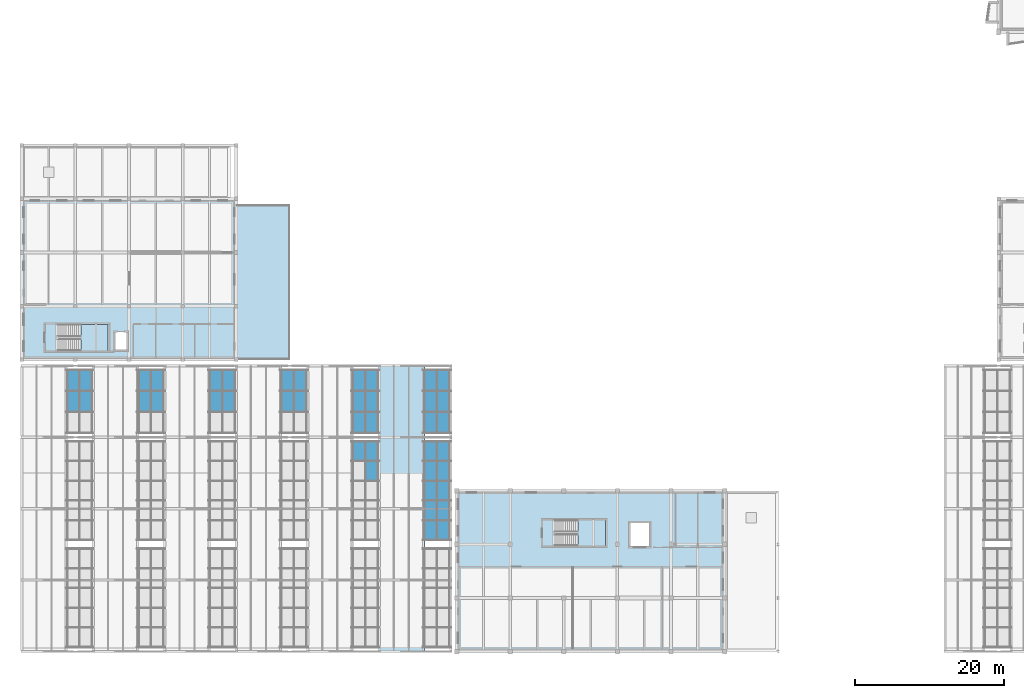
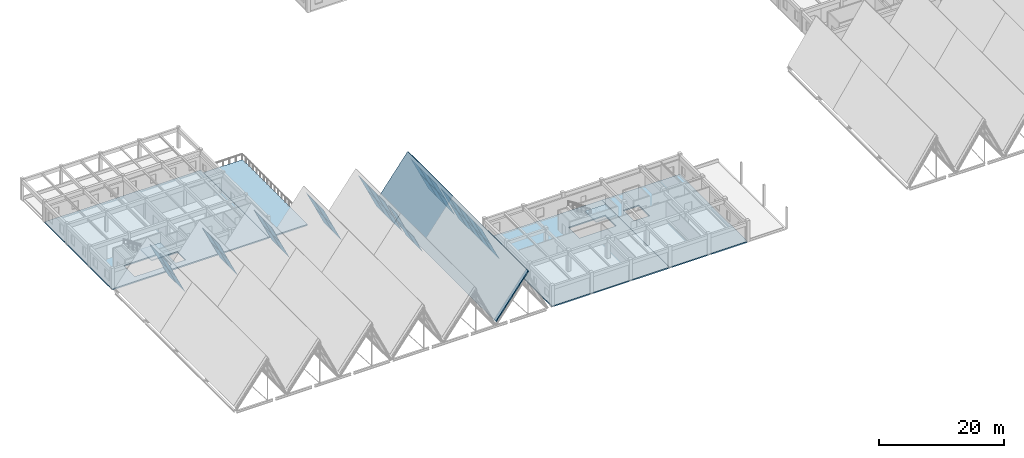
# One storey, part 66 of 99: 41 plates, 7 slabs, 10 elements without a shape of their own.
"""IFC4 building model written with IfcOpenShell, lengths in metres."""

from ifc_helpers import new_model, si_unit, direction, frame, origin, place, context, subcontext, project, spatial, polyline, outline, extrude, material, layer, layer_set, type_object, element, aggregate, save


model = new_model("IFC4")

# Units and contexts
model_context = context("Model", 3, precision=1e-05, world=origin(), true_north=direction((0.0, 1.0)))
body_context = subcontext(model_context, "Body", "Model", "MODEL_VIEW")
ifc_project = project(units=[si_unit("LENGTHUNIT", "METRE"), si_unit("AREAUNIT", "SQUARE_METRE"), si_unit("VOLUMEUNIT", "CUBIC_METRE"), si_unit("PLANEANGLEUNIT", "RADIAN"), si_unit("MASSUNIT", "GRAM", prefix="KILO")], contexts=[model_context])

# Site, building, storey
site_placement = place(None, origin())
site = spatial("IfcSite", under=ifc_project, at=site_placement, CompositionType="ELEMENT")
building_placement = place(site_placement, origin())
building = spatial("IfcBuilding", under=site, at=building_placement, Name="Bramveld Media Centre", CompositionType="ELEMENT")
storey_placement = place(building_placement, frame((0.0, 0.0, 13.800048828125)))
storey = spatial("IfcBuildingStorey", under=building, at=storey_placement, Name="L03", CompositionType="ELEMENT", Elevation=13.800048828125)

# Curtain wall, plates
ifc_material_1 = material(Name="Thermally broken anodized bronze aluminium unitized curtain wall with solar-control triple glazing", Category="aluminium")
curtain_wall_type_1 = type_object("IfcCurtainWallType", Name="CW-SAW-8500x8606", PredefinedType="NOTDEFINED", material=ifc_material_1)
curtain_wall_1_placement = place(storey_placement, origin())
curtain_wall_1 = element("IfcCurtainWall", 1, at=curtain_wall_1_placement, inside=storey, type_object=curtain_wall_type_1, Name="V2 sawtooth north-light clerestory B1-S3", PredefinedType="NOTDEFINED")
ifc_material_2 = material(Name="Solar-control triple insulating safety glass unit", Category="glass")
ifc_layer_1 = layer(ifc_material_2, 0.028076171875)
ifc_layer_set_1 = layer_set([ifc_layer_1], Name="Solar-control triple insulating safety glass unit")
plate_type = type_object("IfcPlateType", Name="CW-PAN-SLP", PredefinedType="CURTAIN_PANEL", material=ifc_layer_set_1)
plate_1_placement = place(storey_placement, frame((9.439697265625, 32.21826171875, 0.322509765625), z_axis=(0.9056675867, 0.0, 0.423988469657), x_axis=(0.0, 1.0, 0.0)))
plate_1 = element("IfcPlate", 2, at=plate_1_placement, type_object=plate_type, Name="CW-SA-8586 glass panel 2.1", PredefinedType="CURTAIN_PANEL", context=body_context, shape_type="SweptSolid", body=[
    extrude(outline(polyline([(0.0, 0.0), (2.763427734375, 0.0), (2.763427734375, 3.8764136412276113), (0.0, 3.8764136412276113), (0.0, 0.0)])), origin(), (0.0, 0.0, -1.0), 0.028076171875),
])
plate_2_placement = place(storey_placement, frame((7.7666015625, 32.21826171875, 3.896728515625), z_axis=(0.9056675867, 0.0, 0.423988469657), x_axis=(0.0, 1.0, 0.0)))
plate_2 = element("IfcPlate", 3, at=plate_2_placement, type_object=plate_type, Name="CW-SA-8586 glass panel 2.2", PredefinedType="CURTAIN_PANEL", context=body_context, shape_type="SweptSolid", body=[
    extrude(outline(polyline([(0.0, 0.0), (2.763427734375, 0.0), (2.763427734375, 3.8764136412276113), (0.0, 3.8764136412276113), (0.0, 0.0)])), origin(), (0.0, 0.0, -1.0), 0.028076171875),
])
plate_3_placement = place(storey_placement, frame((9.439697265625, 35.0517578125, 0.322509765625), z_axis=(0.9056675867, 0.0, 0.423988469657), x_axis=(0.0, 1.0, 0.0)))
plate_3 = element("IfcPlate", 4, at=plate_3_placement, type_object=plate_type, Name="CW-SA-8586 glass panel 3.1", PredefinedType="CURTAIN_PANEL", context=body_context, shape_type="SweptSolid", body=[
    extrude(outline(polyline([(0.0, 0.0), (2.728271484375, 0.0), (2.728271484375, 3.8764136412276113), (0.0, 3.8764136412276113), (0.0, 0.0)])), origin(), (0.0, 0.0, -1.0), 0.028076171875),
])
plate_4_placement = place(storey_placement, frame((7.7666015625, 35.0517578125, 3.896728515625), z_axis=(0.9056675867, 0.0, 0.423988469657), x_axis=(0.0, 1.0, 0.0)))
plate_4 = element("IfcPlate", 5, at=plate_4_placement, type_object=plate_type, Name="CW-SA-8586 glass panel 3.2", PredefinedType="CURTAIN_PANEL", context=body_context, shape_type="SweptSolid", body=[
    extrude(outline(polyline([(0.0, 0.0), (2.728271484375, 0.0), (2.728271484375, 3.8764136412276113), (0.0, 3.8764136412276113), (0.0, 0.0)])), origin(), (0.0, 0.0, -1.0), 0.028076171875),
])
aggregate(curtain_wall_1, [plate_1, plate_2, plate_3, plate_4])

curtain_wall_2_placement = place(storey_placement, origin())
curtain_wall_2 = element("IfcCurtainWall", 6, at=curtain_wall_2_placement, inside=storey, type_object=curtain_wall_type_1, Name="V2 sawtooth north-light clerestory B2-S3", PredefinedType="NOTDEFINED")
plate_5_placement = place(storey_placement, frame((19.039794921875, 32.21826171875, 0.322509765625), z_axis=(0.9056675867, 0.0, 0.423988469657), x_axis=(0.0, 1.0, 0.0)))
plate_5 = element("IfcPlate", 7, at=plate_5_placement, type_object=plate_type, Name="CW-SA-8586 glass panel 2.1", PredefinedType="CURTAIN_PANEL", context=body_context, shape_type="SweptSolid", body=[
    extrude(outline(polyline([(0.0, 0.0), (2.763427734375, 0.0), (2.763427734375, 3.8764136412276113), (0.0, 3.8764136412276113), (0.0, 0.0)])), origin(), (0.0, 0.0, -1.0), 0.028076171875),
])
plate_6_placement = place(storey_placement, frame((17.36669921875, 32.21826171875, 3.896728515625), z_axis=(0.9056675867, 0.0, 0.423988469657), x_axis=(0.0, 1.0, 0.0)))
plate_6 = element("IfcPlate", 8, at=plate_6_placement, type_object=plate_type, Name="CW-SA-8586 glass panel 2.2", PredefinedType="CURTAIN_PANEL", context=body_context, shape_type="SweptSolid", body=[
    extrude(outline(polyline([(0.0, 0.0), (2.763427734375, 0.0), (2.763427734375, 3.8764136412276113), (0.0, 3.8764136412276113), (0.0, 0.0)])), origin(), (0.0, 0.0, -1.0), 0.028076171875),
])
plate_7_placement = place(storey_placement, frame((19.039794921875, 35.0517578125, 0.322509765625), z_axis=(0.9056675867, 0.0, 0.423988469657), x_axis=(0.0, 1.0, 0.0)))
plate_7 = element("IfcPlate", 9, at=plate_7_placement, type_object=plate_type, Name="CW-SA-8586 glass panel 3.1", PredefinedType="CURTAIN_PANEL", context=body_context, shape_type="SweptSolid", body=[
    extrude(outline(polyline([(0.0, 0.0), (2.728271484375, 0.0), (2.728271484375, 3.8764136412276113), (0.0, 3.8764136412276113), (0.0, 0.0)])), origin(), (0.0, 0.0, -1.0), 0.028076171875),
])
plate_8_placement = place(storey_placement, frame((17.36669921875, 35.0517578125, 3.896728515625), z_axis=(0.9056675867, 0.0, 0.423988469657), x_axis=(0.0, 1.0, 0.0)))
plate_8 = element("IfcPlate", 10, at=plate_8_placement, type_object=plate_type, Name="CW-SA-8586 glass panel 3.2", PredefinedType="CURTAIN_PANEL", context=body_context, shape_type="SweptSolid", body=[
    extrude(outline(polyline([(0.0, 0.0), (2.728271484375, 0.0), (2.728271484375, 3.8764136412276113), (0.0, 3.8764136412276113), (0.0, 0.0)])), origin(), (0.0, 0.0, -1.0), 0.028076171875),
])
aggregate(curtain_wall_2, [plate_5, plate_6, plate_7, plate_8])

curtain_wall_3_placement = place(storey_placement, origin())
curtain_wall_3 = element("IfcCurtainWall", 11, at=curtain_wall_3_placement, inside=storey, type_object=curtain_wall_type_1, Name="V2 sawtooth north-light clerestory B3-S3", PredefinedType="NOTDEFINED")
plate_9_placement = place(storey_placement, frame((28.6396484375, 32.21826171875, 0.322509765625), z_axis=(0.9056675867, 0.0, 0.423988469657), x_axis=(0.0, 1.0, 0.0)))
plate_9 = element("IfcPlate", 12, at=plate_9_placement, type_object=plate_type, Name="CW-SA-8586 glass panel 2.1", PredefinedType="CURTAIN_PANEL", context=body_context, shape_type="SweptSolid", body=[
    extrude(outline(polyline([(0.0, 0.0), (2.763427734375, 0.0), (2.763427734375, 3.8764136412276113), (0.0, 3.8764136412276113), (0.0, 0.0)])), origin(), (0.0, 0.0, -1.0), 0.028076171875),
])
plate_10_placement = place(storey_placement, frame((26.966552734375, 32.21826171875, 3.896728515625), z_axis=(0.9056675867, 0.0, 0.423988469657), x_axis=(0.0, 1.0, 0.0)))
plate_10 = element("IfcPlate", 13, at=plate_10_placement, type_object=plate_type, Name="CW-SA-8586 glass panel 2.2", PredefinedType="CURTAIN_PANEL", context=body_context, shape_type="SweptSolid", body=[
    extrude(outline(polyline([(0.0, 0.0), (2.763427734375, 0.0), (2.763427734375, 3.8764136412276113), (0.0, 3.8764136412276113), (0.0, 0.0)])), origin(), (0.0, 0.0, -1.0), 0.028076171875),
])
plate_11_placement = place(storey_placement, frame((28.6396484375, 35.0517578125, 0.322509765625), z_axis=(0.9056675867, 0.0, 0.423988469657), x_axis=(0.0, 1.0, 0.0)))
plate_11 = element("IfcPlate", 14, at=plate_11_placement, type_object=plate_type, Name="CW-SA-8586 glass panel 3.1", PredefinedType="CURTAIN_PANEL", context=body_context, shape_type="SweptSolid", body=[
    extrude(outline(polyline([(0.0, 0.0), (2.728271484375, 0.0), (2.728271484375, 3.8764136412276113), (0.0, 3.8764136412276113), (0.0, 0.0)])), origin(), (0.0, 0.0, -1.0), 0.028076171875),
])
plate_12_placement = place(storey_placement, frame((26.966552734375, 35.0517578125, 3.896728515625), z_axis=(0.9056675867, 0.0, 0.423988469657), x_axis=(0.0, 1.0, 0.0)))
plate_12 = element("IfcPlate", 15, at=plate_12_placement, type_object=plate_type, Name="CW-SA-8586 glass panel 3.2", PredefinedType="CURTAIN_PANEL", context=body_context, shape_type="SweptSolid", body=[
    extrude(outline(polyline([(0.0, 0.0), (2.728271484375, 0.0), (2.728271484375, 3.8764136412276113), (0.0, 3.8764136412276113), (0.0, 0.0)])), origin(), (0.0, 0.0, -1.0), 0.028076171875),
])
aggregate(curtain_wall_3, [plate_9, plate_10, plate_11, plate_12])

curtain_wall_4_placement = place(storey_placement, origin())
curtain_wall_4 = element("IfcCurtainWall", 16, at=curtain_wall_4_placement, inside=storey, type_object=curtain_wall_type_1, Name="V2 sawtooth north-light clerestory B4-S3", PredefinedType="NOTDEFINED")
plate_13_placement = place(storey_placement, frame((38.23974609375, 32.21826171875, 0.322509765625), z_axis=(0.9056675867, 0.0, 0.423988469657), x_axis=(0.0, 1.0, 0.0)))
plate_13 = element("IfcPlate", 17, at=plate_13_placement, type_object=plate_type, Name="CW-SA-8586 glass panel 2.1", PredefinedType="CURTAIN_PANEL", context=body_context, shape_type="SweptSolid", body=[
    extrude(outline(polyline([(0.0, 0.0), (2.763427734375, 0.0), (2.763427734375, 3.8764136412276113), (0.0, 3.8764136412276113), (0.0, 0.0)])), origin(), (0.0, 0.0, -1.0), 0.028076171875),
])
plate_14_placement = place(storey_placement, frame((36.566650390625, 32.21826171875, 3.896728515625), z_axis=(0.9056675867, 0.0, 0.423988469657), x_axis=(0.0, 1.0, 0.0)))
plate_14 = element("IfcPlate", 18, at=plate_14_placement, type_object=plate_type, Name="CW-SA-8586 glass panel 2.2", PredefinedType="CURTAIN_PANEL", context=body_context, shape_type="SweptSolid", body=[
    extrude(outline(polyline([(0.0, 0.0), (2.763427734375, 0.0), (2.763427734375, 3.8764136412276113), (0.0, 3.8764136412276113), (0.0, 0.0)])), origin(), (0.0, 0.0, -1.0), 0.028076171875),
])
plate_15_placement = place(storey_placement, frame((38.23974609375, 35.0517578125, 0.322509765625), z_axis=(0.9056675867, 0.0, 0.423988469657), x_axis=(0.0, 1.0, 0.0)))
plate_15 = element("IfcPlate", 19, at=plate_15_placement, type_object=plate_type, Name="CW-SA-8586 glass panel 3.1", PredefinedType="CURTAIN_PANEL", context=body_context, shape_type="SweptSolid", body=[
    extrude(outline(polyline([(0.0, 0.0), (2.728271484375, 0.0), (2.728271484375, 3.8764136412276113), (0.0, 3.8764136412276113), (0.0, 0.0)])), origin(), (0.0, 0.0, -1.0), 0.028076171875),
])
plate_16_placement = place(storey_placement, frame((36.566650390625, 35.0517578125, 3.896728515625), z_axis=(0.9056675867, 0.0, 0.423988469657), x_axis=(0.0, 1.0, 0.0)))
plate_16 = element("IfcPlate", 20, at=plate_16_placement, type_object=plate_type, Name="CW-SA-8586 glass panel 3.2", PredefinedType="CURTAIN_PANEL", context=body_context, shape_type="SweptSolid", body=[
    extrude(outline(polyline([(0.0, 0.0), (2.728271484375, 0.0), (2.728271484375, 3.8764136412276113), (0.0, 3.8764136412276113), (0.0, 0.0)])), origin(), (0.0, 0.0, -1.0), 0.028076171875),
])
aggregate(curtain_wall_4, [plate_13, plate_14, plate_15, plate_16])

ifc_material_3 = material(Name="Thermally broken anodized bronze aluminium unitized curtain wall with solar-control triple glazing", Category="aluminium")
curtain_wall_type_2 = type_object("IfcCurtainWallType", Name="CW-SAW-13300x8606", PredefinedType="NOTDEFINED", material=ifc_material_3)
curtain_wall_5_placement = place(storey_placement, origin())
curtain_wall_5 = element("IfcCurtainWall", 21, at=curtain_wall_5_placement, inside=storey, type_object=curtain_wall_type_2, Name="V2 sawtooth north-light clerestory B5-S2", PredefinedType="NOTDEFINED")
plate_17_placement = place(storey_placement, frame((47.839599609375, 22.965087890625, 0.322509765625), z_axis=(0.905691770132, 0.0, 0.423936808398), x_axis=(0.0, 1.0, 0.0)))
plate_17 = element("IfcPlate", 22, at=plate_17_placement, type_object=plate_type, Name="CW-SA-13386 glass panel 4.1", PredefinedType="CURTAIN_PANEL", context=body_context, shape_type="SweptSolid", body=[
    extrude(outline(polyline([(0.0, 0.0), (2.58984375, 0.0), (2.58984375, 3.876310134723858), (0.0, 3.876310134723858), (0.0, 0.0)])), origin(), (0.0, 0.0, -1.0), 0.028076171875),
])
plate_18_placement = place(storey_placement, frame((47.839599609375, 25.625, 0.322509765625), z_axis=(0.905691770132, 0.0, 0.423936808398), x_axis=(0.0, 1.0, 0.0)))
plate_18 = element("IfcPlate", 23, at=plate_18_placement, type_object=plate_type, Name="CW-SA-13386 glass panel 5.1", PredefinedType="CURTAIN_PANEL", context=body_context, shape_type="SweptSolid", body=[
    extrude(outline(polyline([(0.0, 0.0), (2.554931640625, 0.0), (2.554931640625, 3.876310134723858), (0.0, 3.876310134723858), (0.0, 0.0)])), origin(), (0.0, 0.0, -1.0), 0.028076171875),
])
plate_19_placement = place(storey_placement, frame((46.16650390625, 25.625, 3.896728515625), z_axis=(0.905691770132, 0.0, 0.423936808398), x_axis=(0.0, 1.0, 0.0)))
plate_19 = element("IfcPlate", 24, at=plate_19_placement, type_object=plate_type, Name="CW-SA-13386 glass panel 5.2", PredefinedType="CURTAIN_PANEL", context=body_context, shape_type="SweptSolid", body=[
    extrude(outline(polyline([(0.0, 0.0), (2.554931640625, 0.0), (2.554931640625, 3.876310134723858), (0.0, 3.876310134723858), (0.0, 0.0)])), origin(), (0.0, 0.0, -1.0), 0.028076171875),
])
aggregate(curtain_wall_5, [plate_17, plate_18, plate_19])

curtain_wall_6_placement = place(storey_placement, origin())
curtain_wall_6 = element("IfcCurtainWall", 25, at=curtain_wall_6_placement, inside=storey, type_object=curtain_wall_type_1, Name="V2 sawtooth north-light clerestory B5-S3", PredefinedType="NOTDEFINED")
plate_20_placement = place(storey_placement, frame((47.839599609375, 29.419921875, 0.322509765625), z_axis=(0.905691770132, 0.0, 0.423936808398), x_axis=(0.0, 1.0, 0.0)))
plate_20 = element("IfcPlate", 26, at=plate_20_placement, type_object=plate_type, Name="CW-SA-8586 glass panel 1.1", PredefinedType="CURTAIN_PANEL", context=body_context, shape_type="SweptSolid", body=[
    extrude(outline(polyline([(0.0, 0.0), (2.728271484375, 0.0), (2.728271484375, 3.876310134723858), (0.0, 3.876310134723858), (0.0, 0.0)])), origin(), (0.0, 0.0, -1.0), 0.028076171875),
])
plate_21_placement = place(storey_placement, frame((46.16650390625, 29.419921875, 3.896728515625), z_axis=(0.905691770132, 0.0, 0.423936808398), x_axis=(0.0, 1.0, 0.0)))
plate_21 = element("IfcPlate", 27, at=plate_21_placement, type_object=plate_type, Name="CW-SA-8586 glass panel 1.2", PredefinedType="CURTAIN_PANEL", context=body_context, shape_type="SweptSolid", body=[
    extrude(outline(polyline([(0.0, 0.0), (2.728271484375, 0.0), (2.728271484375, 3.876310134723858), (0.0, 3.876310134723858), (0.0, 0.0)])), origin(), (0.0, 0.0, -1.0), 0.028076171875),
])
plate_22_placement = place(storey_placement, frame((47.839599609375, 32.21826171875, 0.322509765625), z_axis=(0.905691770132, 0.0, 0.423936808398), x_axis=(0.0, 1.0, 0.0)))
plate_22 = element("IfcPlate", 28, at=plate_22_placement, type_object=plate_type, Name="CW-SA-8586 glass panel 2.1", PredefinedType="CURTAIN_PANEL", context=body_context, shape_type="SweptSolid", body=[
    extrude(outline(polyline([(0.0, 0.0), (2.763427734375, 0.0), (2.763427734375, 3.876310134723858), (0.0, 3.876310134723858), (0.0, 0.0)])), origin(), (0.0, 0.0, -1.0), 0.028076171875),
])
plate_23_placement = place(storey_placement, frame((46.16650390625, 32.21826171875, 3.896728515625), z_axis=(0.905691770132, 0.0, 0.423936808398), x_axis=(0.0, 1.0, 0.0)))
plate_23 = element("IfcPlate", 29, at=plate_23_placement, type_object=plate_type, Name="CW-SA-8586 glass panel 2.2", PredefinedType="CURTAIN_PANEL", context=body_context, shape_type="SweptSolid", body=[
    extrude(outline(polyline([(0.0, 0.0), (2.763427734375, 0.0), (2.763427734375, 3.876310134723858), (0.0, 3.876310134723858), (0.0, 0.0)])), origin(), (0.0, 0.0, -1.0), 0.028076171875),
])
plate_24_placement = place(storey_placement, frame((47.839599609375, 35.0517578125, 0.322509765625), z_axis=(0.905691770132, 0.0, 0.423936808398), x_axis=(0.0, 1.0, 0.0)))
plate_24 = element("IfcPlate", 30, at=plate_24_placement, type_object=plate_type, Name="CW-SA-8586 glass panel 3.1", PredefinedType="CURTAIN_PANEL", context=body_context, shape_type="SweptSolid", body=[
    extrude(outline(polyline([(0.0, 0.0), (2.728271484375, 0.0), (2.728271484375, 3.876310134723858), (0.0, 3.876310134723858), (0.0, 0.0)])), origin(), (0.0, 0.0, -1.0), 0.028076171875),
])
plate_25_placement = place(storey_placement, frame((46.16650390625, 35.0517578125, 3.896728515625), z_axis=(0.905691770132, 0.0, 0.423936808398), x_axis=(0.0, 1.0, 0.0)))
plate_25 = element("IfcPlate", 31, at=plate_25_placement, type_object=plate_type, Name="CW-SA-8586 glass panel 3.2", PredefinedType="CURTAIN_PANEL", context=body_context, shape_type="SweptSolid", body=[
    extrude(outline(polyline([(0.0, 0.0), (2.728271484375, 0.0), (2.728271484375, 3.876310134723858), (0.0, 3.876310134723858), (0.0, 0.0)])), origin(), (0.0, 0.0, -1.0), 0.028076171875),
])
aggregate(curtain_wall_6, [plate_20, plate_21, plate_22, plate_23, plate_24, plate_25])

curtain_wall_7_placement = place(storey_placement, origin())
curtain_wall_7 = element("IfcCurtainWall", 32, at=curtain_wall_7_placement, inside=storey, type_object=curtain_wall_type_2, Name="V2 sawtooth north-light clerestory B6-S2", PredefinedType="NOTDEFINED")
plate_26_placement = place(storey_placement, frame((57.439697265625, 15.02001953125, 0.322509765625), z_axis=(0.9056675867, 0.0, 0.423988469657), x_axis=(0.0, 1.0, 0.0)))
plate_26 = element("IfcPlate", 33, at=plate_26_placement, type_object=plate_type, Name="CW-SA-13386 glass panel 1.1", PredefinedType="CURTAIN_PANEL", context=body_context, shape_type="SweptSolid", body=[
    extrude(outline(polyline([(0.0, 0.0), (2.554931640625, 0.0), (2.554931640625, 3.8764136412276113), (0.0, 3.8764136412276113), (0.0, 0.0)])), origin(), (0.0, 0.0, -1.0), 0.028076171875),
])
plate_27_placement = place(storey_placement, frame((55.7666015625, 15.02001953125, 3.896728515625), z_axis=(0.9056675867, 0.0, 0.423988469657), x_axis=(0.0, 1.0, 0.0)))
plate_27 = element("IfcPlate", 34, at=plate_27_placement, type_object=plate_type, Name="CW-SA-13386 glass panel 1.2", PredefinedType="CURTAIN_PANEL", context=body_context, shape_type="SweptSolid", body=[
    extrude(outline(polyline([(0.0, 0.0), (2.554931640625, 0.0), (2.554931640625, 3.8764136412276113), (0.0, 3.8764136412276113), (0.0, 0.0)])), origin(), (0.0, 0.0, -1.0), 0.028076171875),
])
plate_28_placement = place(storey_placement, frame((57.439697265625, 17.64501953125, 0.322509765625), z_axis=(0.9056675867, 0.0, 0.423988469657), x_axis=(0.0, 1.0, 0.0)))
plate_28 = element("IfcPlate", 35, at=plate_28_placement, type_object=plate_type, Name="CW-SA-13386 glass panel 2.1", PredefinedType="CURTAIN_PANEL", context=body_context, shape_type="SweptSolid", body=[
    extrude(outline(polyline([(0.0, 0.0), (2.590087890625, 0.0), (2.590087890625, 3.876413641227611), (0.0, 3.876413641227611), (0.0, 0.0)])), origin(), (0.0, 0.0, -1.0), 0.028076171875),
])
plate_29_placement = place(storey_placement, frame((55.7666015625, 17.64501953125, 3.896728515625), z_axis=(0.9056675867, 0.0, 0.423988469657), x_axis=(0.0, 1.0, 0.0)))
plate_29 = element("IfcPlate", 36, at=plate_29_placement, type_object=plate_type, Name="CW-SA-13386 glass panel 2.2", PredefinedType="CURTAIN_PANEL", context=body_context, shape_type="SweptSolid", body=[
    extrude(outline(polyline([(0.0, 0.0), (2.590087890625, 0.0), (2.590087890625, 3.876413641227611), (0.0, 3.876413641227611), (0.0, 0.0)])), origin(), (0.0, 0.0, -1.0), 0.028076171875),
])
plate_30_placement = place(storey_placement, frame((57.439697265625, 20.304931640625, 0.322509765625), z_axis=(0.9056675867, 0.0, 0.423988469657), x_axis=(0.0, 1.0, 0.0)))
plate_30 = element("IfcPlate", 37, at=plate_30_placement, type_object=plate_type, Name="CW-SA-13386 glass panel 3.1", PredefinedType="CURTAIN_PANEL", context=body_context, shape_type="SweptSolid", body=[
    extrude(outline(polyline([(0.0, 0.0), (2.590087890625, 0.0), (2.590087890625, 3.876413641227611), (0.0, 3.876413641227611), (0.0, 0.0)])), origin(), (0.0, 0.0, -1.0), 0.028076171875),
])
plate_31_placement = place(storey_placement, frame((55.7666015625, 20.304931640625, 3.896728515625), z_axis=(0.9056675867, 0.0, 0.423988469657), x_axis=(0.0, 1.0, 0.0)))
plate_31 = element("IfcPlate", 38, at=plate_31_placement, type_object=plate_type, Name="CW-SA-13386 glass panel 3.2", PredefinedType="CURTAIN_PANEL", context=body_context, shape_type="SweptSolid", body=[
    extrude(outline(polyline([(0.0, 0.0), (2.590087890625, 0.0), (2.590087890625, 3.876413641227611), (0.0, 3.876413641227611), (0.0, 0.0)])), origin(), (0.0, 0.0, -1.0), 0.028076171875),
])
plate_32_placement = place(storey_placement, frame((57.439697265625, 22.965087890625, 0.322509765625), z_axis=(0.9056675867, 0.0, 0.423988469657), x_axis=(0.0, 1.0, 0.0)))
plate_32 = element("IfcPlate", 39, at=plate_32_placement, type_object=plate_type, Name="CW-SA-13386 glass panel 4.1", PredefinedType="CURTAIN_PANEL", context=body_context, shape_type="SweptSolid", body=[
    extrude(outline(polyline([(0.0, 0.0), (2.58984375, 0.0), (2.58984375, 3.876413641227611), (0.0, 3.876413641227611), (0.0, 0.0)])), origin(), (0.0, 0.0, -1.0), 0.028076171875),
])
plate_33_placement = place(storey_placement, frame((55.7666015625, 22.965087890625, 3.896728515625), z_axis=(0.9056675867, 0.0, 0.423988469657), x_axis=(0.0, 1.0, 0.0)))
plate_33 = element("IfcPlate", 40, at=plate_33_placement, type_object=plate_type, Name="CW-SA-13386 glass panel 4.2", PredefinedType="CURTAIN_PANEL", context=body_context, shape_type="SweptSolid", body=[
    extrude(outline(polyline([(0.0, 0.0), (2.58984375, 0.0), (2.58984375, 3.876413641227611), (0.0, 3.876413641227611), (0.0, 0.0)])), origin(), (0.0, 0.0, -1.0), 0.028076171875),
])
plate_34_placement = place(storey_placement, frame((57.439697265625, 25.625, 0.322509765625), z_axis=(0.9056675867, 0.0, 0.423988469657), x_axis=(0.0, 1.0, 0.0)))
plate_34 = element("IfcPlate", 41, at=plate_34_placement, type_object=plate_type, Name="CW-SA-13386 glass panel 5.1", PredefinedType="CURTAIN_PANEL", context=body_context, shape_type="SweptSolid", body=[
    extrude(outline(polyline([(0.0, 0.0), (2.554931640625, 0.0), (2.554931640625, 3.8764136412276113), (0.0, 3.8764136412276113), (0.0, 0.0)])), origin(), (0.0, 0.0, -1.0), 0.028076171875),
])
plate_35_placement = place(storey_placement, frame((55.7666015625, 25.625, 3.896728515625), z_axis=(0.9056675867, 0.0, 0.423988469657), x_axis=(0.0, 1.0, 0.0)))
plate_35 = element("IfcPlate", 42, at=plate_35_placement, type_object=plate_type, Name="CW-SA-13386 glass panel 5.2", PredefinedType="CURTAIN_PANEL", context=body_context, shape_type="SweptSolid", body=[
    extrude(outline(polyline([(0.0, 0.0), (2.554931640625, 0.0), (2.554931640625, 3.8764136412276113), (0.0, 3.8764136412276113), (0.0, 0.0)])), origin(), (0.0, 0.0, -1.0), 0.028076171875),
])
aggregate(curtain_wall_7, [plate_26, plate_27, plate_28, plate_29, plate_30, plate_31, plate_32, plate_33, plate_34, plate_35])

curtain_wall_8_placement = place(storey_placement, origin())
curtain_wall_8 = element("IfcCurtainWall", 43, at=curtain_wall_8_placement, inside=storey, type_object=curtain_wall_type_1, Name="V2 sawtooth north-light clerestory B6-S3", PredefinedType="NOTDEFINED")
plate_36_placement = place(storey_placement, frame((57.439697265625, 29.419921875, 0.322509765625), z_axis=(0.9056675867, 0.0, 0.423988469657), x_axis=(0.0, 1.0, 0.0)))
plate_36 = element("IfcPlate", 44, at=plate_36_placement, type_object=plate_type, Name="CW-SA-8586 glass panel 1.1", PredefinedType="CURTAIN_PANEL", context=body_context, shape_type="SweptSolid", body=[
    extrude(outline(polyline([(0.0, 0.0), (2.728271484375, 0.0), (2.728271484375, 3.8764136412276113), (0.0, 3.8764136412276113), (0.0, 0.0)])), origin(), (0.0, 0.0, -1.0), 0.028076171875),
])
plate_37_placement = place(storey_placement, frame((55.7666015625, 29.419921875, 3.896728515625), z_axis=(0.9056675867, 0.0, 0.423988469657), x_axis=(0.0, 1.0, 0.0)))
plate_37 = element("IfcPlate", 45, at=plate_37_placement, type_object=plate_type, Name="CW-SA-8586 glass panel 1.2", PredefinedType="CURTAIN_PANEL", context=body_context, shape_type="SweptSolid", body=[
    extrude(outline(polyline([(0.0, 0.0), (2.728271484375, 0.0), (2.728271484375, 3.8764136412276113), (0.0, 3.8764136412276113), (0.0, 0.0)])), origin(), (0.0, 0.0, -1.0), 0.028076171875),
])
plate_38_placement = place(storey_placement, frame((57.439697265625, 32.21826171875, 0.322509765625), z_axis=(0.9056675867, 0.0, 0.423988469657), x_axis=(0.0, 1.0, 0.0)))
plate_38 = element("IfcPlate", 46, at=plate_38_placement, type_object=plate_type, Name="CW-SA-8586 glass panel 2.1", PredefinedType="CURTAIN_PANEL", context=body_context, shape_type="SweptSolid", body=[
    extrude(outline(polyline([(0.0, 0.0), (2.763427734375, 0.0), (2.763427734375, 3.8764136412276113), (0.0, 3.8764136412276113), (0.0, 0.0)])), origin(), (0.0, 0.0, -1.0), 0.028076171875),
])
plate_39_placement = place(storey_placement, frame((55.7666015625, 32.21826171875, 3.896728515625), z_axis=(0.9056675867, 0.0, 0.423988469657), x_axis=(0.0, 1.0, 0.0)))
plate_39 = element("IfcPlate", 47, at=plate_39_placement, type_object=plate_type, Name="CW-SA-8586 glass panel 2.2", PredefinedType="CURTAIN_PANEL", context=body_context, shape_type="SweptSolid", body=[
    extrude(outline(polyline([(0.0, 0.0), (2.763427734375, 0.0), (2.763427734375, 3.8764136412276113), (0.0, 3.8764136412276113), (0.0, 0.0)])), origin(), (0.0, 0.0, -1.0), 0.028076171875),
])
plate_40_placement = place(storey_placement, frame((57.439697265625, 35.0517578125, 0.322509765625), z_axis=(0.9056675867, 0.0, 0.423988469657), x_axis=(0.0, 1.0, 0.0)))
plate_40 = element("IfcPlate", 48, at=plate_40_placement, type_object=plate_type, Name="CW-SA-8586 glass panel 3.1", PredefinedType="CURTAIN_PANEL", context=body_context, shape_type="SweptSolid", body=[
    extrude(outline(polyline([(0.0, 0.0), (2.728271484375, 0.0), (2.728271484375, 3.8764136412276113), (0.0, 3.8764136412276113), (0.0, 0.0)])), origin(), (0.0, 0.0, -1.0), 0.028076171875),
])
plate_41_placement = place(storey_placement, frame((55.7666015625, 35.0517578125, 3.896728515625), z_axis=(0.9056675867, 0.0, 0.423988469657), x_axis=(0.0, 1.0, 0.0)))
plate_41 = element("IfcPlate", 49, at=plate_41_placement, type_object=plate_type, Name="CW-SA-8586 glass panel 3.2", PredefinedType="CURTAIN_PANEL", context=body_context, shape_type="SweptSolid", body=[
    extrude(outline(polyline([(0.0, 0.0), (2.728271484375, 0.0), (2.728271484375, 3.8764136412276113), (0.0, 3.8764136412276113), (0.0, 0.0)])), origin(), (0.0, 0.0, -1.0), 0.028076171875),
])
aggregate(curtain_wall_8, [plate_36, plate_37, plate_38, plate_39, plate_40, plate_41])

# Slabs
ifc_material_4 = material(Name="Precast concrete C40/50", Category="concrete")
ifc_layer_2 = layer(ifc_material_4, 0.2099609375)
ifc_layer_set_2 = layer_set([ifc_layer_2], Name="Precast concrete C40/50")
slab_type_1 = type_object("IfcSlabType", Name="ROOF-SLAB-210-01", PredefinedType="ROOF", material=ifc_layer_set_2)
slab_1_placement = place(storey_placement, frame((48.0, 0.0, 0.622314453125), z_axis=(-0.794448873282, 0.0, 0.607331036372), x_axis=(0.607331036372, 0.0, 0.794448873282)))
element("IfcSlab", 50, at=slab_1_placement, inside=storey, type_object=slab_type_1, Name="V2 sawtooth acoustic roof slab bay 6", PredefinedType="ROOF", context=body_context, shape_type="SweptSolid", body=[
    extrude(outline(polyline([(0.0, 0.0), (9.818188546103965, 0.0), (9.818188546103965, 38.39990234375), (0.0, 38.39990234375), (0.0, 0.0)])), origin(), (0.0, 0.0, -1.0), 0.2099609375),
])
ifc_material_5 = material(Name="Precast concrete C40/50", Category="concrete")
ifc_layer_3 = layer(ifc_material_5, 0.239990234375)
ifc_layer_set_3 = layer_set([ifc_layer_3], Name="Precast concrete C40/50")
slab_type_2 = type_object("IfcSlabType", Name="SLAB-FLOOR-EXT-240", PredefinedType="FLOOR", material=ifc_layer_set_3)
slab_2_placement = place(storey_placement, frame((0.0, 0.0, -0.239990234375)))
element("IfcSlab", 51, at=slab_2_placement, inside=storey, type_object=slab_type_2, Name="Cinema Setback Terrace", PredefinedType="FLOOR", context=body_context, shape_type="SweptSolid", body=[
    extrude(outline(polyline([(28.800048828125, 39.199951171875), (36.0, 39.199951171875), (36.0, 60.0), (28.800048828125, 60.0), (28.800048828125, 39.199951171875)])), origin(), (0.0, 0.0, 1.0), 0.239990234375),
])
ifc_material_6 = material(Name="Concrete C40/50", Category="concrete")
ifc_layer_4 = layer(ifc_material_6, 0.239990234375)
ifc_layer_set_4 = layer_set([ifc_layer_4], Name="Concrete C40/50")
slab_type_3 = type_object("IfcSlabType", Name="SLAB-FLOOR-INT-240", PredefinedType="FLOOR", material=ifc_layer_set_4)
slab_3_placement = place(storey_placement, frame((0.0, 0.0, -0.239990234375)))
element("IfcSlab", 52, at=slab_3_placement, inside=storey, type_object=slab_type_3, Name="V5 L03 structural slab 1", PredefinedType="FLOOR", context=body_context, shape_type="SweptSolid", body=[
    extrude(outline(polyline([(58.39990234375, 21.60009765625), (80.0, 21.60009765625), (80.0, 0.0), (58.39990234375, 0.0), (58.39990234375, 21.60009765625)]), holes=[polyline([(71.60009765625, 14.199951171875), (78.39990234375, 14.199951171875), (78.39990234375, 17.64990234375), (71.60009765625, 17.64990234375), (71.60009765625, 14.199951171875)])]), origin(), (0.0, 0.0, 1.0), 0.239990234375),
])
slab_4_placement = place(storey_placement, frame((0.0, 0.0, -0.239990234375)))
element("IfcSlab", 53, at=slab_4_placement, inside=storey, type_object=slab_type_3, Name="V5 L03 structural slab 2", PredefinedType="FLOOR", context=body_context, shape_type="SweptSolid", body=[
    extrude(outline(polyline([(94.39990234375, 0.0), (80.0, 0.0), (80.0, 21.60009765625), (94.39990234375, 21.60009765625), (94.39990234375, 0.0)]), holes=[polyline([(84.39990234375, 14.0), (84.39990234375, 17.39990234375), (81.60009765625, 17.39990234375), (81.60009765625, 14.0), (84.39990234375, 14.0)])]), origin(), (0.0, 0.0, 1.0), 0.239990234375),
])
ifc_material_7 = material(Name="Concrete C40/50", Category="concrete")
ifc_layer_5 = layer(ifc_material_7, 0.25)
ifc_layer_set_5 = layer_set([ifc_layer_5], Name="Concrete C40/50")
slab_type_4 = type_object("IfcSlabType", Name="SLAB-FLOOR-INT-250", PredefinedType="FLOOR", material=ifc_layer_set_5)
slab_5_placement = place(storey_placement, frame((0.0, 0.0, -0.25)))
element("IfcSlab", 54, at=slab_5_placement, inside=storey, type_object=slab_type_4, Name="V3 L03 structural slab 1", PredefinedType="FLOOR", context=body_context, shape_type="SweptSolid", body=[
    extrude(outline(polyline([(0.0, 60.800048828125), (28.800048828125, 60.800048828125), (28.800048828125, 39.199951171875), (0.0, 39.199951171875), (0.0, 60.800048828125)]), holes=[polyline([(14.199951171875, 40.39990234375), (14.199951171875, 43.0), (12.39990234375, 43.0), (12.39990234375, 40.39990234375), (14.199951171875, 40.39990234375)]), polyline([(4.85009765625, 40.39990234375), (11.60009765625, 40.39990234375), (11.60009765625, 43.949951171875), (4.85009765625, 43.949951171875), (4.85009765625, 40.39990234375)])]), origin(), (0.0, 0.0, 1.0), 0.25),
])

# Stair, slab
ifc_material_8 = material(Name="Concrete C40/50", Category="concrete")
stair_type_1 = type_object("IfcStairType", Name="STAIR-ST-04-24R-1650", PredefinedType="HALF_TURN_STAIR", material=ifc_material_8)
stair_1_placement = place(storey_placement, origin())
stair_1 = element("IfcStair", 55, at=stair_1_placement, inside=storey, type_object=stair_type_1, Name="L03 Repertory Cinema & Rooftop Terrace Stair", PredefinedType="HALF_TURN_STAIR")
ifc_material_9 = material(Name="Concrete C40/50", Category="concrete")
ifc_layer_6 = layer(ifc_material_9, 0.199951171875)
ifc_layer_set_6 = layer_set([ifc_layer_6], Name="Concrete C40/50")
slab_type_5 = type_object("IfcSlabType", Name="SLAB-STAIR-LAND-200", PredefinedType="LANDING", material=ifc_layer_set_6)
slab_6_placement = place(storey_placement, frame((0.0, 0.0, 1.89990234375)))
slab_6 = element("IfcSlab", 56, at=slab_6_placement, type_object=slab_type_5, Name="ST-04 landing 1", PredefinedType="LANDING", context=body_context, shape_type="SweptSolid", body=[
    extrude(outline(polyline([(7.929931640625, 40.39990234375), (11.60009765625, 40.39990234375), (11.60009765625, 43.949951171875), (7.929931640625, 43.949951171875), (7.929931640625, 40.39990234375)])), origin(), (0.0, 0.0, 1.0), 0.199951171875),
])
aggregate(stair_1, [slab_6])

ifc_material_10 = material(Name="Concrete C40/50", Category="concrete")
stair_type_2 = type_object("IfcStairType", Name="STAIR-ST-06-24R-1600", PredefinedType="HALF_TURN_STAIR", material=ifc_material_10)
stair_2_placement = place(storey_placement, origin())
stair_2 = element("IfcStair", 57, at=stair_2_placement, inside=storey, type_object=stair_type_2, Name="L03 Mediatheque & Vault Wing Stair", PredefinedType="HALF_TURN_STAIR")
slab_7_placement = place(storey_placement, frame((0.0, 0.0, 1.89990234375)))
slab_7 = element("IfcSlab", 58, at=slab_7_placement, type_object=slab_type_5, Name="ST-06 landing 1", PredefinedType="LANDING", context=body_context, shape_type="SweptSolid", body=[
    extrude(outline(polyline([(74.679931640625, 14.199951171875), (78.39990234375, 14.199951171875), (78.39990234375, 17.64990234375), (74.679931640625, 17.64990234375), (74.679931640625, 14.199951171875)])), origin(), (0.0, 0.0, 1.0), 0.199951171875),
])
aggregate(stair_2, [slab_7])

save(model, "model.ifc")
